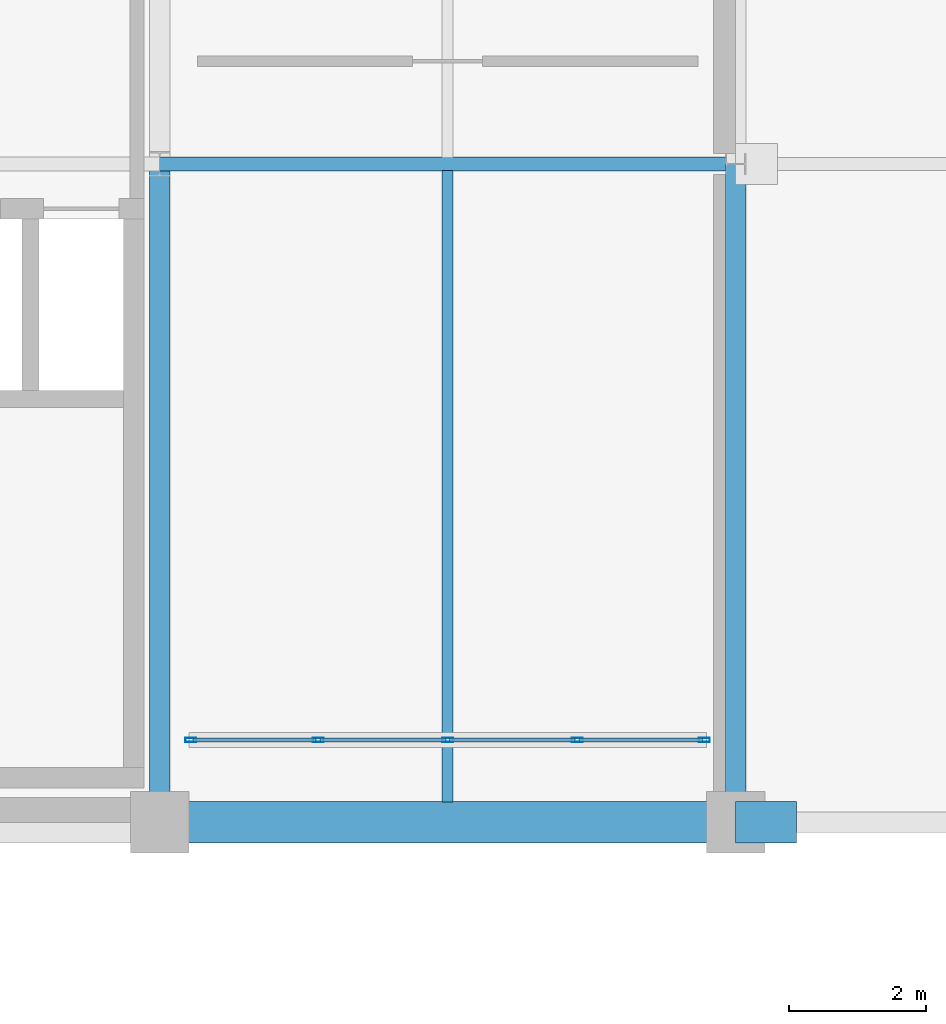
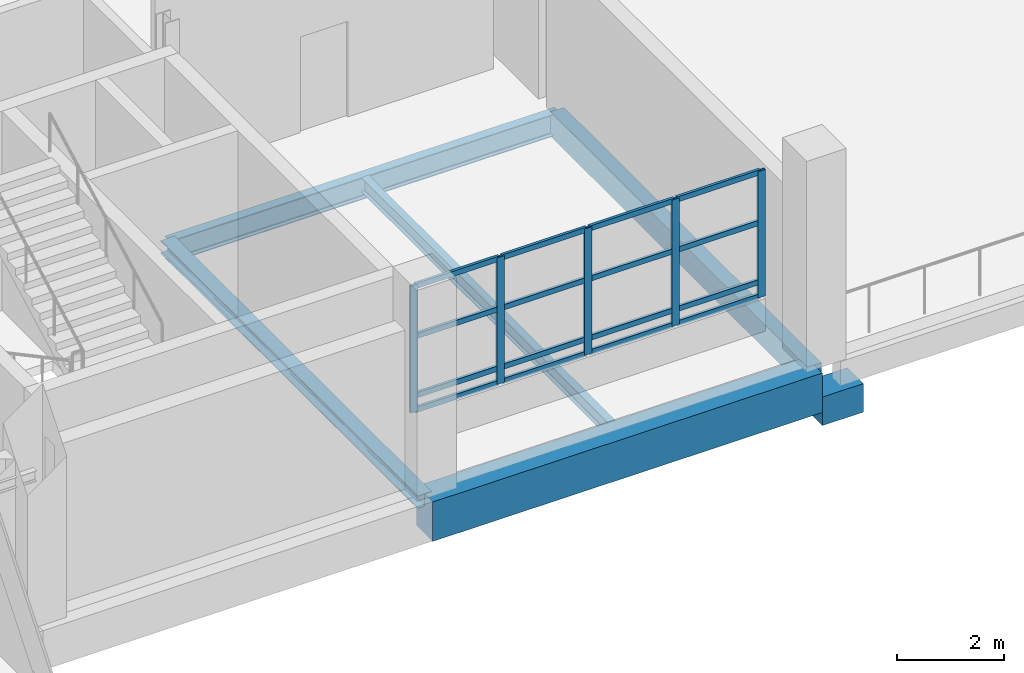
# One storey, part 16 of 29: 21 members, 6 beams, 1 element without a shape of its own.
"""IFC4 building model written with IfcOpenShell, lengths in metres."""

from ifc_helpers import new_model, si_unit, direction, frame, origin, origin_2d, place, context, subcontext, project, spatial, rectangle, hollow_rectangle, i_section, extrude, material, material_profile, profile_set, type_object, element, aggregate, save


model = new_model("IFC4")

# Units and contexts
model_context = context("Model", 3, precision=1e-05, world=origin(), true_north=direction((0.0, 1.0)))
body_context = subcontext(model_context, "Body", "Model", "MODEL_VIEW")
ifc_project = project(units=[si_unit("LENGTHUNIT", "METRE"), si_unit("AREAUNIT", "SQUARE_METRE"), si_unit("VOLUMEUNIT", "CUBIC_METRE"), si_unit("PLANEANGLEUNIT", "RADIAN"), si_unit("MASSUNIT", "GRAM", prefix="KILO")], contexts=[model_context])

# Site, building, storey
site_placement = place(None, origin())
site = spatial("IfcSite", under=ifc_project, at=site_placement, CompositionType="ELEMENT")
building_placement = place(site_placement, origin())
building = spatial("IfcBuilding", under=site, at=building_placement, Name="Veltarok Museum of Natural Sciences", CompositionType="ELEMENT")
storey_placement = place(building_placement, frame((0.0, 0.0, 26.39990234375)))
storey = spatial("IfcBuildingStorey", under=building, at=storey_placement, Name="L05", CompositionType="ELEMENT", Elevation=26.39990234375)

# Curtain wall, members
ifc_material_1 = material(Name="Low-iron triple insulated glass", Category="glass")
curtain_wall_type = type_object("IfcCurtainWallType", Name="Curtain Wall System CW-CAB-L05-A-755x288 (V1 Recessed L05 755x288cm)", PredefinedType="NOTDEFINED", material=ifc_material_1)
curtain_wall_placement = place(storey_placement, origin())
curtain_wall = element("IfcCurtainWall", 1, at=curtain_wall_placement, inside=storey, type_object=curtain_wall_type, Name="Curtain Wall CW-CAB-L05-A-755x288 CW-0010", PredefinedType="NOTDEFINED")
ifc_material_2 = material(Name="Thermally broken anodised aluminium", Category="aluminium")
ifc_material_profile_1 = material_profile(ifc_material_2, hollow_rectangle(XDim=0.06005859375, YDim=0.1201171875, WallThickness=0.0048828125, at=origin_2d()), Name="CW TRANSOM 60x120x5")
ifc_profile_set_1 = profile_set([ifc_material_profile_1], Name="Thermally broken anodised aluminium")
member_type_1 = type_object("IfcMemberType", Name="Curtain Wall Horizontal Transom 60x120x5", PredefinedType="USERDEFINED", material=ifc_profile_set_1)
member_1_placement = place(storey_placement, frame((99.284912109375, 1.199951171875, 0.77001953125), z_axis=(1.0, 0.0, 0.0), x_axis=(0.0, 1.0, 0.0)))
member_1 = element("IfcMember", 2, at=member_1_placement, type_object=member_type_1, Name="CW-CAB-L05-A-755x288 transom 1.1", ObjectType="TRANSOM", PredefinedType="USERDEFINED", context=body_context, shape_type="SweptSolid", body=[
    extrude(hollow_rectangle(XDim=0.06005859375, YDim=0.1201171875, WallThickness=0.0048828125, at=origin_2d()), origin(), (0.0, 0.0, 1.0), 1.797607421875),
])
member_2_placement = place(storey_placement, frame((99.284912109375, 1.199951171875, 1.10009765625), z_axis=(1.0, 0.0, 0.0), x_axis=(0.0, 1.0, 0.0)))
member_2 = element("IfcMember", 3, at=member_2_placement, type_object=member_type_1, Name="CW-CAB-L05-A-755x288 transom 1.2", ObjectType="TRANSOM", PredefinedType="USERDEFINED", context=body_context, shape_type="SweptSolid", body=[
    extrude(hollow_rectangle(XDim=0.06005859375, YDim=0.1201171875, WallThickness=0.0048828125, at=origin_2d()), origin(), (0.0, 0.0, 1.0), 1.797607421875),
])
member_3_placement = place(storey_placement, frame((99.284912109375, 1.199951171875, 2.4501953125), z_axis=(1.0, 0.0, 0.0), x_axis=(0.0, 1.0, 0.0)))
member_3 = element("IfcMember", 4, at=member_3_placement, type_object=member_type_1, Name="CW-CAB-L05-A-755x288 transom 1.3", ObjectType="TRANSOM", PredefinedType="USERDEFINED", context=body_context, shape_type="SweptSolid", body=[
    extrude(hollow_rectangle(XDim=0.06005859375, YDim=0.1201171875, WallThickness=0.0048828125, at=origin_2d()), origin(), (0.0, 0.0, 1.0), 1.797607421875),
])
member_4_placement = place(storey_placement, frame((99.284912109375, 1.199951171875, 3.59521484375), z_axis=(1.0, 0.0, 0.0), x_axis=(0.0, 1.0, 0.0)))
member_4 = element("IfcMember", 5, at=member_4_placement, type_object=member_type_1, Name="CW-CAB-L05-A-755x288 transom 1.4", ObjectType="TRANSOM", PredefinedType="USERDEFINED", context=body_context, shape_type="SweptSolid", body=[
    extrude(hollow_rectangle(XDim=0.06005859375, YDim=0.1201171875, WallThickness=0.0048828125, at=origin_2d()), origin(), (0.0, 0.0, 1.0), 1.797607421875),
])
member_5_placement = place(storey_placement, frame((101.142578125, 1.199951171875, 0.77001953125), z_axis=(1.0, 0.0, 0.0), x_axis=(0.0, 1.0, 0.0)))
member_5 = element("IfcMember", 6, at=member_5_placement, type_object=member_type_1, Name="CW-CAB-L05-A-755x288 transom 2.1", ObjectType="TRANSOM", PredefinedType="USERDEFINED", context=body_context, shape_type="SweptSolid", body=[
    extrude(hollow_rectangle(XDim=0.06005859375, YDim=0.1201171875, WallThickness=0.0048828125, at=origin_2d()), origin(), (0.0, 0.0, 1.0), 1.827392578125),
])
member_6_placement = place(storey_placement, frame((101.142578125, 1.199951171875, 1.10009765625), z_axis=(1.0, 0.0, 0.0), x_axis=(0.0, 1.0, 0.0)))
member_6 = element("IfcMember", 7, at=member_6_placement, type_object=member_type_1, Name="CW-CAB-L05-A-755x288 transom 2.2", ObjectType="TRANSOM", PredefinedType="USERDEFINED", context=body_context, shape_type="SweptSolid", body=[
    extrude(hollow_rectangle(XDim=0.06005859375, YDim=0.1201171875, WallThickness=0.0048828125, at=origin_2d()), origin(), (0.0, 0.0, 1.0), 1.827392578125),
])
member_7_placement = place(storey_placement, frame((101.142578125, 1.199951171875, 2.4501953125), z_axis=(1.0, 0.0, 0.0), x_axis=(0.0, 1.0, 0.0)))
member_7 = element("IfcMember", 8, at=member_7_placement, type_object=member_type_1, Name="CW-CAB-L05-A-755x288 transom 2.3", ObjectType="TRANSOM", PredefinedType="USERDEFINED", context=body_context, shape_type="SweptSolid", body=[
    extrude(hollow_rectangle(XDim=0.06005859375, YDim=0.1201171875, WallThickness=0.0048828125, at=origin_2d()), origin(), (0.0, 0.0, 1.0), 1.827392578125),
])
member_8_placement = place(storey_placement, frame((101.142578125, 1.199951171875, 3.59521484375), z_axis=(1.0, 0.0, 0.0), x_axis=(0.0, 1.0, 0.0)))
member_8 = element("IfcMember", 9, at=member_8_placement, type_object=member_type_1, Name="CW-CAB-L05-A-755x288 transom 2.4", ObjectType="TRANSOM", PredefinedType="USERDEFINED", context=body_context, shape_type="SweptSolid", body=[
    extrude(hollow_rectangle(XDim=0.06005859375, YDim=0.1201171875, WallThickness=0.0048828125, at=origin_2d()), origin(), (0.0, 0.0, 1.0), 1.827392578125),
])
member_9_placement = place(storey_placement, frame((103.030029296875, 1.199951171875, 0.77001953125), z_axis=(1.0, 0.0, 0.0), x_axis=(0.0, 1.0, 0.0)))
member_9 = element("IfcMember", 10, at=member_9_placement, type_object=member_type_1, Name="CW-CAB-L05-A-755x288 transom 3.1", ObjectType="TRANSOM", PredefinedType="USERDEFINED", context=body_context, shape_type="SweptSolid", body=[
    extrude(hollow_rectangle(XDim=0.06005859375, YDim=0.1201171875, WallThickness=0.0048828125, at=origin_2d()), origin(), (0.0, 0.0, 1.0), 1.827392578125),
])
member_10_placement = place(storey_placement, frame((103.030029296875, 1.199951171875, 1.10009765625), z_axis=(1.0, 0.0, 0.0), x_axis=(0.0, 1.0, 0.0)))
member_10 = element("IfcMember", 11, at=member_10_placement, type_object=member_type_1, Name="CW-CAB-L05-A-755x288 transom 3.2", ObjectType="TRANSOM", PredefinedType="USERDEFINED", context=body_context, shape_type="SweptSolid", body=[
    extrude(hollow_rectangle(XDim=0.06005859375, YDim=0.1201171875, WallThickness=0.0048828125, at=origin_2d()), origin(), (0.0, 0.0, 1.0), 1.827392578125),
])
member_11_placement = place(storey_placement, frame((103.030029296875, 1.199951171875, 2.4501953125), z_axis=(1.0, 0.0, 0.0), x_axis=(0.0, 1.0, 0.0)))
member_11 = element("IfcMember", 12, at=member_11_placement, type_object=member_type_1, Name="CW-CAB-L05-A-755x288 transom 3.3", ObjectType="TRANSOM", PredefinedType="USERDEFINED", context=body_context, shape_type="SweptSolid", body=[
    extrude(hollow_rectangle(XDim=0.06005859375, YDim=0.1201171875, WallThickness=0.0048828125, at=origin_2d()), origin(), (0.0, 0.0, 1.0), 1.827392578125),
])
member_12_placement = place(storey_placement, frame((103.030029296875, 1.199951171875, 3.59521484375), z_axis=(1.0, 0.0, 0.0), x_axis=(0.0, 1.0, 0.0)))
member_12 = element("IfcMember", 13, at=member_12_placement, type_object=member_type_1, Name="CW-CAB-L05-A-755x288 transom 3.4", ObjectType="TRANSOM", PredefinedType="USERDEFINED", context=body_context, shape_type="SweptSolid", body=[
    extrude(hollow_rectangle(XDim=0.06005859375, YDim=0.1201171875, WallThickness=0.0048828125, at=origin_2d()), origin(), (0.0, 0.0, 1.0), 1.827392578125),
])
member_13_placement = place(storey_placement, frame((104.91748046875, 1.199951171875, 0.77001953125), z_axis=(1.0, 0.0, 0.0), x_axis=(0.0, 1.0, 0.0)))
member_13 = element("IfcMember", 14, at=member_13_placement, type_object=member_type_1, Name="CW-CAB-L05-A-755x288 transom 4.1", ObjectType="TRANSOM", PredefinedType="USERDEFINED", context=body_context, shape_type="SweptSolid", body=[
    extrude(hollow_rectangle(XDim=0.06005859375, YDim=0.1201171875, WallThickness=0.0048828125, at=origin_2d()), origin(), (0.0, 0.0, 1.0), 1.797607421875),
])
member_14_placement = place(storey_placement, frame((104.91748046875, 1.199951171875, 1.10009765625), z_axis=(1.0, 0.0, 0.0), x_axis=(0.0, 1.0, 0.0)))
member_14 = element("IfcMember", 15, at=member_14_placement, type_object=member_type_1, Name="CW-CAB-L05-A-755x288 transom 4.2", ObjectType="TRANSOM", PredefinedType="USERDEFINED", context=body_context, shape_type="SweptSolid", body=[
    extrude(hollow_rectangle(XDim=0.06005859375, YDim=0.1201171875, WallThickness=0.0048828125, at=origin_2d()), origin(), (0.0, 0.0, 1.0), 1.797607421875),
])
member_15_placement = place(storey_placement, frame((104.91748046875, 1.199951171875, 2.4501953125), z_axis=(1.0, 0.0, 0.0), x_axis=(0.0, 1.0, 0.0)))
member_15 = element("IfcMember", 16, at=member_15_placement, type_object=member_type_1, Name="CW-CAB-L05-A-755x288 transom 4.3", ObjectType="TRANSOM", PredefinedType="USERDEFINED", context=body_context, shape_type="SweptSolid", body=[
    extrude(hollow_rectangle(XDim=0.06005859375, YDim=0.1201171875, WallThickness=0.0048828125, at=origin_2d()), origin(), (0.0, 0.0, 1.0), 1.797607421875),
])
member_16_placement = place(storey_placement, frame((104.91748046875, 1.199951171875, 3.59521484375), z_axis=(1.0, 0.0, 0.0), x_axis=(0.0, 1.0, 0.0)))
member_16 = element("IfcMember", 17, at=member_16_placement, type_object=member_type_1, Name="CW-CAB-L05-A-755x288 transom 4.4", ObjectType="TRANSOM", PredefinedType="USERDEFINED", context=body_context, shape_type="SweptSolid", body=[
    extrude(hollow_rectangle(XDim=0.06005859375, YDim=0.1201171875, WallThickness=0.0048828125, at=origin_2d()), origin(), (0.0, 0.0, 1.0), 1.797607421875),
])
ifc_material_profile_2 = material_profile(ifc_material_2, hollow_rectangle(XDim=0.06005859375, YDim=0.159912109375, WallThickness=0.0048828125, at=origin_2d()), Name="CW MULLION 60x160x5")
ifc_profile_set_2 = profile_set([ifc_material_profile_2], Name="Thermally broken anodised aluminium")
member_type_2 = type_object("IfcMemberType", Name="Curtain Wall Vertical Mullion 60x160x5", PredefinedType="MULLION", material=ifc_profile_set_2)
member_17_placement = place(storey_placement, frame((99.2548828125, 1.199951171875, 0.739990234375), z_axis=(0.0, 0.0, 1.0), x_axis=(0.0, 1.0, 0.0)))
member_17 = element("IfcMember", 18, at=member_17_placement, type_object=member_type_2, Name="CW-CAB-L05-A-755x288 mullion 1", PredefinedType="MULLION", context=body_context, shape_type="SweptSolid", body=[
    extrude(hollow_rectangle(XDim=0.06005859375, YDim=0.159912109375, WallThickness=0.0048828125, at=origin_2d()), origin(), (0.0, 0.0, 1.0), 2.885009765625),
])
member_18_placement = place(storey_placement, frame((101.112548828125, 1.199951171875, 0.739990234375), z_axis=(0.0, 0.0, 1.0), x_axis=(0.0, 1.0, 0.0)))
member_18 = element("IfcMember", 19, at=member_18_placement, type_object=member_type_2, Name="CW-CAB-L05-A-755x288 mullion 2", PredefinedType="MULLION", context=body_context, shape_type="SweptSolid", body=[
    extrude(hollow_rectangle(XDim=0.06005859375, YDim=0.159912109375, WallThickness=0.0048828125, at=origin_2d()), origin(), (0.0, 0.0, 1.0), 2.885009765625),
])
member_19_placement = place(storey_placement, frame((103.0, 1.199951171875, 0.739990234375), z_axis=(0.0, 0.0, 1.0), x_axis=(0.0, 1.0, 0.0)))
member_19 = element("IfcMember", 20, at=member_19_placement, type_object=member_type_2, Name="CW-CAB-L05-A-755x288 mullion 3", PredefinedType="MULLION", context=body_context, shape_type="SweptSolid", body=[
    extrude(hollow_rectangle(XDim=0.06005859375, YDim=0.159912109375, WallThickness=0.0048828125, at=origin_2d()), origin(), (0.0, 0.0, 1.0), 2.885009765625),
])
member_20_placement = place(storey_placement, frame((104.887451171875, 1.199951171875, 0.739990234375), z_axis=(0.0, 0.0, 1.0), x_axis=(0.0, 1.0, 0.0)))
member_20 = element("IfcMember", 21, at=member_20_placement, type_object=member_type_2, Name="CW-CAB-L05-A-755x288 mullion 4", PredefinedType="MULLION", context=body_context, shape_type="SweptSolid", body=[
    extrude(hollow_rectangle(XDim=0.06005859375, YDim=0.159912109375, WallThickness=0.0048828125, at=origin_2d()), origin(), (0.0, 0.0, 1.0), 2.885009765625),
])
member_21_placement = place(storey_placement, frame((106.7451171875, 1.199951171875, 0.739990234375), z_axis=(0.0, 0.0, 1.0), x_axis=(0.0, 1.0, 0.0)))
member_21 = element("IfcMember", 22, at=member_21_placement, type_object=member_type_2, Name="CW-CAB-L05-A-755x288 mullion 5", PredefinedType="MULLION", context=body_context, shape_type="SweptSolid", body=[
    extrude(hollow_rectangle(XDim=0.06005859375, YDim=0.159912109375, WallThickness=0.0048828125, at=origin_2d()), origin(), (0.0, 0.0, 1.0), 2.885009765625),
])
aggregate(curtain_wall, [member_17, member_18, member_19, member_20, member_21, member_1, member_2, member_3, member_4, member_5, member_6, member_7, member_8, member_9, member_10, member_11, member_12, member_13, member_14, member_15, member_16])

# Beams
ifc_material_3 = material(Name="Precast concrete C40/50", Category="concrete")
ifc_material_profile_3 = material_profile(ifc_material_3, rectangle(XDim=0.300048828125, YDim=0.550048828125, at=origin_2d()), Name="RC 300x550")
ifc_profile_set_3 = profile_set([ifc_material_profile_3], Name="Precast concrete C40/50")
beam_type_1 = type_object("IfcBeamType", Name="East Wing Precast Spandrel RC 300x550", PredefinedType="SPANDREL", material=ifc_profile_set_3)
beam_1_placement = place(storey_placement, frame((107.199951171875, 0.0, -0.534912109375), z_axis=(0.0, 1.0, 0.0), x_axis=(-1.0, 0.0, 0.0)))
element("IfcBeam", 23, at=beam_1_placement, inside=storey, type_object=beam_type_1, Name="Beam BM-SP02 L05 13/A-B", PredefinedType="SPANDREL", context=body_context, shape_type="SweptSolid", body=[
    extrude(rectangle(XDim=0.300048828125, YDim=0.550048828125, at=origin_2d()), origin(), (0.0, 0.0, 1.0), 9.60009765625),
])
ifc_material_4 = material(Name="Concrete C40/50", Category="concrete")
ifc_material_profile_4 = material_profile(ifc_material_4, rectangle(XDim=0.60009765625, YDim=0.89990234375, at=origin_2d()), Name="RC 600x900")
ifc_profile_set_4 = profile_set([ifc_material_profile_4], Name="Concrete C40/50")
beam_type_2 = type_object("IfcBeamType", Name="Exposed Cabinet Perimeter Spandrel RC 600x900", PredefinedType="SPANDREL", material=ifc_profile_set_4)
beam_2_placement = place(storey_placement, frame((98.800048828125, 0.0, -0.7099609375), z_axis=(1.0, 0.0, 0.0), x_axis=(0.0, 1.0, 0.0)))
element("IfcBeam", 24, at=beam_2_placement, inside=storey, type_object=beam_type_2, Name="Beam BM-SP01 L05 12-13/A", PredefinedType="SPANDREL", context=body_context, shape_type="SweptSolid", body=[
    extrude(rectangle(XDim=0.60009765625, YDim=0.89990234375, at=origin_2d()), origin(), (0.0, 0.0, 1.0), 8.39990234375),
])
ifc_material_5 = material(Name="Steel S355J2", Category="steel")
ifc_material_profile_5 = material_profile(ifc_material_5, i_section(OverallWidth=0.300048828125, OverallDepth=0.2900390625, WebThickness=0.008544921875, FlangeThickness=0.013916015625, FilletRadius=0.027099609375, at=origin_2d()), Name="HEA 300")
ifc_profile_set_5 = profile_set([ifc_material_profile_5], Name="Steel S355J2")
beam_type_3 = type_object("IfcBeamType", Name="Glazed Hall Edge Spandrel HEA 300", PredefinedType="SPANDREL", material=ifc_profile_set_5)
beam_3_placement = place(storey_placement, frame((98.800048828125, 0.0, -0.39501953125), z_axis=(0.0, 1.0, 0.0), x_axis=(-1.0, 0.0, 0.0)))
element("IfcBeam", 25, at=beam_3_placement, inside=storey, type_object=beam_type_3, Name="Beam BM-SP03 L05 12/A-B", PredefinedType="SPANDREL", context=body_context, shape_type="SweptSolid", body=[
    extrude(i_section(OverallWidth=0.300048828125, OverallDepth=0.2900390625, WebThickness=0.008544921875, FlangeThickness=0.013916015625, FilletRadius=0.027099609375, at=origin_2d()), origin(), (0.0, 0.0, 1.0), 9.60009765625),
])
ifc_material_profile_6 = material_profile(ifc_material_5, i_section(OverallWidth=0.159912109375, OverallDepth=0.330078125, WebThickness=0.007568359375, FlangeThickness=0.011474609375, FilletRadius=0.01806640625, at=origin_2d()), Name="IPE 330")
ifc_profile_set_6 = profile_set([ifc_material_profile_6], Name="Steel S355J2")
beam_type_4 = type_object("IfcBeamType", Name="Medium-Bay Composite Joist IPE 330", PredefinedType="JOIST", material=ifc_profile_set_6)
beam_4_placement = place(storey_placement, frame((103.0, 0.298095703125, -0.414794921875), z_axis=(0.0, 1.0, 0.0), x_axis=(-1.0, 0.0, 0.0)))
element("IfcBeam", 26, at=beam_4_placement, inside=storey, type_object=beam_type_4, Name="Secondary Joist BM-J02 L05 12-13/A-B.1", PredefinedType="JOIST", context=body_context, shape_type="SweptSolid", body=[
    extrude(i_section(OverallWidth=0.159912109375, OverallDepth=0.330078125, WebThickness=0.007568359375, FlangeThickness=0.011474609375, FilletRadius=0.01806640625, at=origin_2d()), origin(), (0.0, 0.0, 1.0), 9.203857421875),
])
ifc_material_profile_7 = material_profile(ifc_material_4, rectangle(XDim=0.60009765625, YDim=0.64990234375, at=origin_2d()), Name="RC 600x650")
ifc_profile_set_7 = profile_set([ifc_material_profile_7], Name="Concrete C40/50")
beam_type_5 = type_object("IfcBeamType", Name="Movement Joint Sliding Corbel RC 600x650", PredefinedType="BEAM", material=ifc_profile_set_7)
beam_5_placement = place(storey_placement, frame((107.199951171875, 0.0, -1.135009765625), z_axis=(1.0, 0.0, 0.0), x_axis=(0.0, 1.0, 0.0)))
element("IfcBeam", 27, at=beam_5_placement, inside=storey, type_object=beam_type_5, Name="Movement Joint Corbel L05 13/A", PredefinedType="BEAM", context=body_context, shape_type="SweptSolid", body=[
    extrude(rectangle(XDim=0.60009765625, YDim=0.64990234375, at=origin_2d()), origin(), (0.0, 0.0, 1.0), 0.885009765625),
])
ifc_material_profile_8 = material_profile(ifc_material_5, i_section(OverallWidth=0.199951171875, OverallDepth=0.5, WebThickness=0.01025390625, FlangeThickness=0.01611328125, FilletRadius=0.02099609375, at=origin_2d()), Name="IPE 500")
ifc_profile_set_8 = profile_set([ifc_material_profile_8], Name="Steel S355J2")
beam_type_6 = type_object("IfcBeamType", Name="Standard Gallery Girder IPE 500", PredefinedType="BEAM", material=ifc_profile_set_8)
beam_6_placement = place(storey_placement, frame((98.800048828125, 9.60009765625, -0.510009765625), z_axis=(1.0, 0.0, 0.0), x_axis=(0.0, 1.0, 0.0)))
element("IfcBeam", 28, at=beam_6_placement, inside=storey, type_object=beam_type_6, Name="Beam BM-G04 L05 12-13/B", PredefinedType="BEAM", context=body_context, shape_type="SweptSolid", body=[
    extrude(i_section(OverallWidth=0.199951171875, OverallDepth=0.5, WebThickness=0.01025390625, FlangeThickness=0.01611328125, FilletRadius=0.02099609375, at=origin_2d()), origin(), (0.0, 0.0, 1.0), 8.39990234375),
])

save(model, "model.ifc")
